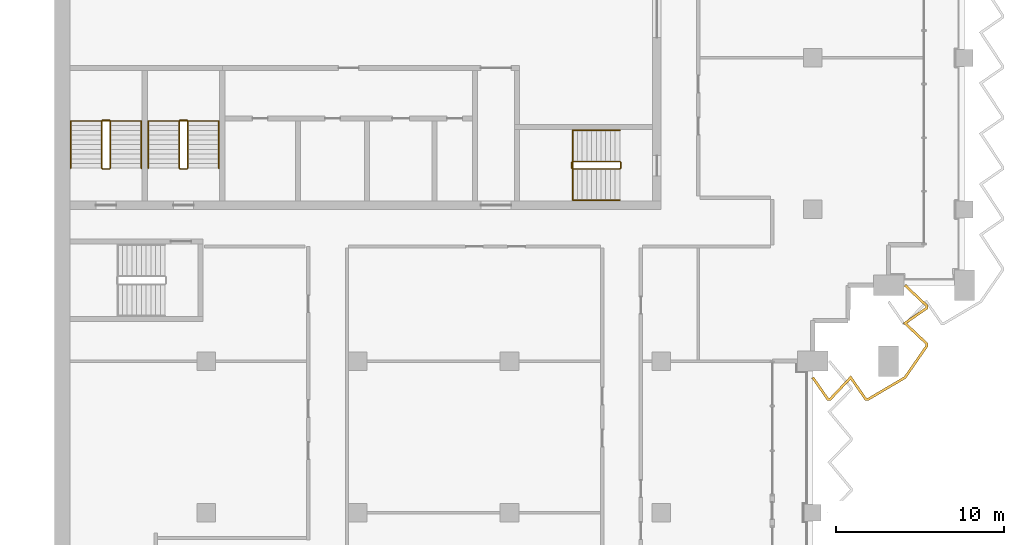
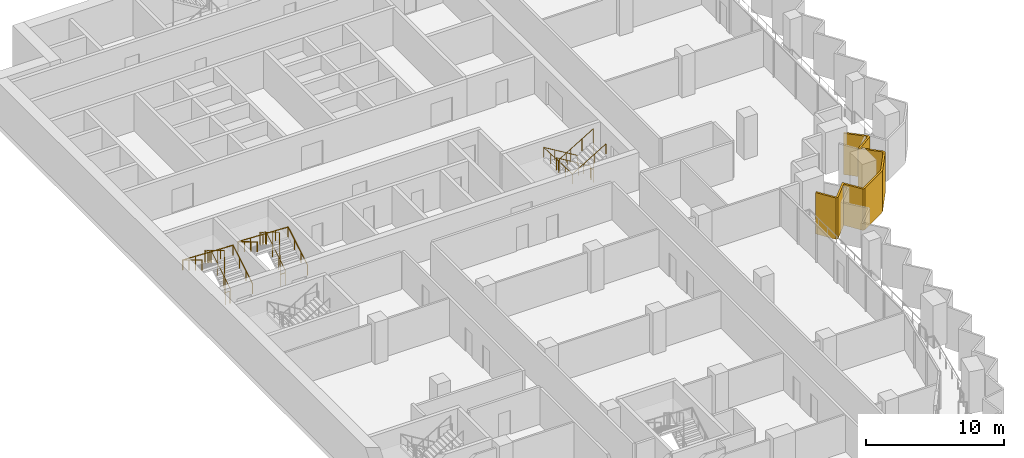
# One storey, part 16 of 18: 6 railings, 1 shading device.
"""IFC4 building model written with IfcOpenShell, lengths in metres."""

from ifc_helpers import new_model, si_unit, direction, frame, origin, origin_2d, place, context, subcontext, project, spatial, polyline, circle, outline, extrude, material, layer, layer_set, type_object, element, save


model = new_model("IFC4")

# Units and contexts
model_context = context("Model", 3, precision=1e-05, world=origin(), true_north=direction((0.0, 1.0)))
body_context = subcontext(model_context, "Body", "Model", "MODEL_VIEW")
ifc_project = project(units=[si_unit("LENGTHUNIT", "METRE"), si_unit("AREAUNIT", "SQUARE_METRE"), si_unit("VOLUMEUNIT", "CUBIC_METRE"), si_unit("PLANEANGLEUNIT", "RADIAN"), si_unit("MASSUNIT", "GRAM", prefix="KILO")], contexts=[model_context])

# Site, building, storey
site_placement = place(None, origin())
site = spatial("IfcSite", under=ifc_project, at=site_placement, CompositionType="ELEMENT")
building_placement = place(site_placement, origin())
building = spatial("IfcBuilding", under=site, at=building_placement, Name="Hunhe Ridgeline Campus", CompositionType="ELEMENT")
storey_placement = place(building_placement, frame((0.0, 0.0, 182.800048828125)))
storey = spatial("IfcBuildingStorey", under=building, at=storey_placement, Name="L46", CompositionType="ELEMENT", Elevation=182.800048828125)

# Shading device
ifc_material_1 = material(Name="Concrete C50", Category="concrete")
ifc_layer = layer(ifc_material_1, 0.14990234375)
ifc_layer_set = layer_set([ifc_layer], Name="Sawtooth concrete fin 150 Concrete C50")
shading_device_type = type_object("IfcShadingDeviceType", Name="Sawtooth concrete fin 150 Concrete C50", PredefinedType="USERDEFINED", material=ifc_layer_set)
shading_device_placement = place(storey_placement, frame((0.0, 0.0, -0.949951171875)))
element("IfcShadingDevice", 1, at=shading_device_placement, inside=storey, type_object=shading_device_type, Name="Concrete fin screen 2", ObjectType="FIN", PredefinedType="USERDEFINED", context=body_context, shape_type="SweptSolid", body=[
    extrude(outline(polyline([(45.0615234375, 53.06787109375), (44.9384765625, 52.982177734375), (45.863525390625, 51.64990234375), (46.054931640625, 51.64990234375), (47.2412109375, 52.90625), (48.113525390625, 51.64990234375), (48.293212890625, 51.64990234375), (50.52734375, 52.96875), (51.85009765625, 54.879150390625), (51.85009765625, 55.054931640625), (50.59375, 56.2412109375), (51.85009765625, 57.113525390625), (51.85009765625, 57.304931640625), (50.5263671875, 58.554443359375), (50.423583984375, 58.445556640625), (51.699951171875, 57.240234375), (51.699951171875, 57.19189453125), (50.356201171875, 56.2587890625), (51.699951171875, 54.990234375), (51.699951171875, 54.926025390625), (50.422607421875, 53.081298828125), (48.252197265625, 51.800048828125), (48.19189453125, 51.800048828125), (47.2587890625, 53.143798828125), (45.990234375, 51.800048828125), (45.94189453125, 51.800048828125), (45.0615234375, 53.06787109375)])), origin(), (0.0, 0.0, 1.0), 3.64990234375),
])

# Railings
ifc_material_2 = material(Name="Stainless steel balustrade", Category="steel")
railing_type_1 = type_object("IfcRailingType", Name="Stair guard 1100 stainless", PredefinedType="GUARDRAIL", material=ifc_material_2)
railing_1_placement = place(storey_placement, frame((33.550048828125, 65.85009765625, 0.168212890625)))
element("IfcRailing", 2, at=railing_1_placement, inside=storey, type_object=railing_type_1, Name="L46 stair S2 guard", PredefinedType="GUARDRAIL", context=body_context, shape_type="SweptSolid", body=[
    extrude(circle(Radius=0.02392578125, at=origin_2d()), frame((0.0, 0.0, 1.076171875), z_axis=(-0.857275202839, 0.0, 0.514858452973), x_axis=(0.0, -1.0, 0.0)), (0.0, 0.0, 1.0), 3.26611328125),
    extrude(circle(Radius=0.02392578125, at=origin_2d()), frame((-2.800048828125, 0.0, 2.7578125), z_axis=(-0.707106781187, -0.707106781187, 0.0), x_axis=(0.707106781187, -0.707106781187, 0.0)), (0.0, 0.0, 1.0), 0.07080078125),
    extrude(circle(Radius=0.02392578125, at=origin_2d()), frame((-2.85009765625, -0.050048828125, 2.7578125), z_axis=(0.0, -1.0, 0.0), x_axis=(1.0, 0.0, 0.0)), (0.0, 0.0, 1.0), 0.35009765625),
    extrude(circle(Radius=0.02392578125, at=origin_2d()), frame((-2.85009765625, -0.400146484375, 2.7578125), z_axis=(0.274243871929, -0.274243871929, 0.92172696468), x_axis=(0.707106781187, 0.707106781187, 0.0)), (0.0, 0.0, 1.0), 0.1826171875),
    extrude(circle(Radius=0.02392578125, at=origin_2d()), frame((-2.800048828125, -0.4501953125, 2.92578125), z_axis=(0.857242210791, 0.0, 0.514913383045), x_axis=(0.0, 1.0, 0.0)), (0.0, 0.0, 1.0), 3.266357421875),
    extrude(circle(Radius=0.02392578125, at=origin_2d()), frame((0.0, -0.4501953125, 4.60791015625), z_axis=(0.013524414389, 0.013524414389, -0.999817073484), x_axis=(-0.707106781187, 0.707106781187, 0.0)), (0.0, 0.0, 1.0), 3.70068359375),
    extrude(circle(Radius=0.02392578125, at=origin_2d()), frame((0.050048828125, -0.400146484375, 0.90771484375), z_axis=(0.0, 1.0, 0.0), x_axis=(-1.0, 0.0, 0.0)), (0.0, 0.0, 1.0), 0.35009765625),
    extrude(circle(Radius=0.02099609375, at=origin_2d()), origin(), (0.0, 0.0, 1.0), 1.052001953125),
    extrude(circle(Radius=0.02099609375, at=origin_2d()), frame((-0.933349609375, 0.0, 0.560546875)), (0.0, 0.0, 1.0), 1.052001953125),
    extrude(circle(Radius=0.02099609375, at=origin_2d()), frame((-1.86669921875, 0.0, 1.12109375)), (0.0, 0.0, 1.0), 1.052001953125),
    extrude(circle(Radius=0.02099609375, at=origin_2d()), frame((-2.800048828125, 0.0, 1.681640625)), (0.0, 0.0, 1.0), 1.052001953125),
    extrude(circle(Radius=0.02099609375, at=origin_2d()), frame((-2.85009765625, -0.050048828125, 1.681640625)), (0.0, 0.0, 1.0), 1.052001953125),
    extrude(circle(Radius=0.02099609375, at=origin_2d()), frame((-2.85009765625, -0.400146484375, 1.681640625)), (0.0, 0.0, 1.0), 1.052001953125),
    extrude(circle(Radius=0.02099609375, at=origin_2d()), frame((-2.800048828125, -0.4501953125, 1.849853515625)), (0.0, 0.0, 1.0), 1.052001953125),
    extrude(circle(Radius=0.02099609375, at=origin_2d()), frame((-1.86669921875, -0.4501953125, 2.410400390625)), (0.0, 0.0, 1.0), 1.052001953125),
    extrude(circle(Radius=0.02099609375, at=origin_2d()), frame((-0.933349609375, -0.4501953125, 2.97119140625)), (0.0, 0.0, 1.0), 1.052001953125),
    extrude(circle(Radius=0.02099609375, at=origin_2d()), frame((0.0, -0.4501953125, 3.53173828125)), (0.0, 0.0, 1.0), 1.052001953125),
    extrude(circle(Radius=0.02099609375, at=origin_2d()), frame((0.012451171875, -0.437744140625, 2.606689453125)), (0.0, 0.0, 1.0), 1.052001953125),
    extrude(circle(Radius=0.02099609375, at=origin_2d()), frame((0.02490234375, -0.42529296875, 1.681640625)), (0.0, 0.0, 1.0), 1.052001953125),
    extrude(circle(Radius=0.02099609375, at=origin_2d()), frame((0.03759765625, -0.41259765625, 0.7568359375)), (0.0, 0.0, 1.0), 1.052001953125),
    extrude(circle(Radius=0.02099609375, at=origin_2d()), frame((0.050048828125, -0.400146484375, -0.168212890625)), (0.0, 0.0, 1.0), 1.052001953125),
    extrude(circle(Radius=0.02099609375, at=origin_2d()), frame((0.050048828125, -0.050048828125, -0.168212890625)), (0.0, 0.0, 1.0), 1.052001953125),
])
railing_2_placement = place(storey_placement, frame((3.300048828125, 65.449951171875, 0.168212890625)))
element("IfcRailing", 3, at=railing_2_placement, inside=storey, type_object=railing_type_1, Name="L46 stair S3 guard", PredefinedType="GUARDRAIL", context=body_context, shape_type="SweptSolid", body=[
    extrude(circle(Radius=0.02392578125, at=origin_2d()), frame((0.0, 0.0, 1.076171875), z_axis=(0.0, 0.857275202839, 0.514858452973), x_axis=(-1.0, 0.0, 0.0)), (0.0, 0.0, 1.0), 3.26611328125),
    extrude(circle(Radius=0.02392578125, at=origin_2d()), frame((0.0, 2.800048828125, 2.7578125), z_axis=(-0.707106781187, 0.707106781187, 0.0), x_axis=(-0.707106781187, -0.707106781187, 0.0)), (0.0, 0.0, 1.0), 0.07080078125),
    extrude(circle(Radius=0.02392578125, at=origin_2d()), frame((-0.050048828125, 2.85009765625, 2.7578125), z_axis=(-1.0, 0.0, 0.0), x_axis=(0.0, -1.0, 0.0)), (0.0, 0.0, 1.0), 0.39990234375),
    extrude(circle(Radius=0.02392578125, at=origin_2d()), frame((-0.449951171875, 2.85009765625, 2.7578125), z_axis=(-0.274243871929, -0.274243871929, 0.92172696468), x_axis=(0.707106781187, -0.707106781187, 0.0)), (0.0, 0.0, 1.0), 0.1826171875),
    extrude(circle(Radius=0.02392578125, at=origin_2d()), frame((-0.5, 2.800048828125, 2.92578125), z_axis=(0.0, -0.857242210791, 0.514913383045), x_axis=(1.0, 0.0, 0.0)), (0.0, 0.0, 1.0), 3.266357421875),
    extrude(circle(Radius=0.02392578125, at=origin_2d()), frame((-0.5, 0.0, 4.60791015625), z_axis=(0.013524414389, -0.013524414389, -0.999817073484), x_axis=(0.707106781187, 0.707106781187, 0.0)), (0.0, 0.0, 1.0), 3.70068359375),
    extrude(circle(Radius=0.02392578125, at=origin_2d()), frame((-0.449951171875, -0.050048828125, 0.90771484375), z_axis=(1.0, 0.0, 0.0), x_axis=(0.0, 1.0, 0.0)), (0.0, 0.0, 1.0), 0.39990234375),
    extrude(circle(Radius=0.02099609375, at=origin_2d()), origin(), (0.0, 0.0, 1.0), 1.052001953125),
    extrude(circle(Radius=0.02099609375, at=origin_2d()), frame((0.0, 0.933349609375, 0.560546875)), (0.0, 0.0, 1.0), 1.052001953125),
    extrude(circle(Radius=0.02099609375, at=origin_2d()), frame((0.0, 1.86669921875, 1.12109375)), (0.0, 0.0, 1.0), 1.052001953125),
    extrude(circle(Radius=0.02099609375, at=origin_2d()), frame((0.0, 2.800048828125, 1.681640625)), (0.0, 0.0, 1.0), 1.052001953125),
    extrude(circle(Radius=0.02099609375, at=origin_2d()), frame((-0.050048828125, 2.85009765625, 1.681640625)), (0.0, 0.0, 1.0), 1.052001953125),
    extrude(circle(Radius=0.02099609375, at=origin_2d()), frame((-0.449951171875, 2.85009765625, 1.681640625)), (0.0, 0.0, 1.0), 1.052001953125),
    extrude(circle(Radius=0.02099609375, at=origin_2d()), frame((-0.5, 2.800048828125, 1.849853515625)), (0.0, 0.0, 1.0), 1.052001953125),
    extrude(circle(Radius=0.02099609375, at=origin_2d()), frame((-0.5, 1.86669921875, 2.410400390625)), (0.0, 0.0, 1.0), 1.052001953125),
    extrude(circle(Radius=0.02099609375, at=origin_2d()), frame((-0.5, 0.933349609375, 2.97119140625)), (0.0, 0.0, 1.0), 1.052001953125),
    extrude(circle(Radius=0.02099609375, at=origin_2d()), frame((-0.5, 0.0, 3.53173828125)), (0.0, 0.0, 1.0), 1.052001953125),
    extrude(circle(Radius=0.02099609375, at=origin_2d()), frame((-0.487548828125, -0.012451171875, 2.606689453125)), (0.0, 0.0, 1.0), 1.052001953125),
    extrude(circle(Radius=0.02099609375, at=origin_2d()), frame((-0.47509765625, -0.02490234375, 1.681640625)), (0.0, 0.0, 1.0), 1.052001953125),
    extrude(circle(Radius=0.02099609375, at=origin_2d()), frame((-0.46240234375, -0.03759765625, 0.7568359375)), (0.0, 0.0, 1.0), 1.052001953125),
    extrude(circle(Radius=0.02099609375, at=origin_2d()), frame((-0.449951171875, -0.050048828125, -0.168212890625)), (0.0, 0.0, 1.0), 1.052001953125),
    extrude(circle(Radius=0.02099609375, at=origin_2d()), frame((-0.050048828125, -0.050048828125, -0.168212890625)), (0.0, 0.0, 1.0), 1.052001953125),
])
railing_3_placement = place(storey_placement, frame((7.89990234375, 65.449951171875, 0.168212890625)))
element("IfcRailing", 4, at=railing_3_placement, inside=storey, type_object=railing_type_1, Name="L46 stair S4 guard", PredefinedType="GUARDRAIL", context=body_context, shape_type="SweptSolid", body=[
    extrude(circle(Radius=0.02392578125, at=origin_2d()), frame((0.0, 0.0, 1.076171875), z_axis=(0.0, 0.857275202839, 0.514858452973), x_axis=(-1.0, 0.0, 0.0)), (0.0, 0.0, 1.0), 3.26611328125),
    extrude(circle(Radius=0.02392578125, at=origin_2d()), frame((0.0, 2.800048828125, 2.7578125), z_axis=(-0.705375805398, 0.708833529934, 0.0), x_axis=(-0.708833529934, -0.705375805398, 0.0)), (0.0, 0.0, 1.0), 0.070556640625),
    extrude(circle(Radius=0.02392578125, at=origin_2d()), frame((-0.0498046875, 2.85009765625, 2.7578125), z_axis=(-1.0, 0.0, 0.0), x_axis=(0.0, -1.0, 0.0)), (0.0, 0.0, 1.0), 0.400146484375),
    extrude(circle(Radius=0.02392578125, at=origin_2d()), frame((-0.449951171875, 2.85009765625, 2.7578125), z_axis=(-0.274243871929, -0.274243871929, 0.92172696468), x_axis=(0.707106781187, -0.707106781187, 0.0)), (0.0, 0.0, 1.0), 0.1826171875),
    extrude(circle(Radius=0.02392578125, at=origin_2d()), frame((-0.5, 2.800048828125, 2.92578125), z_axis=(0.0, -0.857242210791, 0.514913383045), x_axis=(1.0, 0.0, 0.0)), (0.0, 0.0, 1.0), 3.266357421875),
    extrude(circle(Radius=0.02392578125, at=origin_2d()), frame((-0.5, 0.0, 4.60791015625), z_axis=(0.013524414389, -0.013524414389, -0.999817073484), x_axis=(0.707106781187, 0.707106781187, 0.0)), (0.0, 0.0, 1.0), 3.70068359375),
    extrude(circle(Radius=0.02392578125, at=origin_2d()), frame((-0.449951171875, -0.050048828125, 0.90771484375), z_axis=(1.0, 0.0, 0.0), x_axis=(0.0, 1.0, 0.0)), (0.0, 0.0, 1.0), 0.400146484375),
    extrude(circle(Radius=0.02099609375, at=origin_2d()), origin(), (0.0, 0.0, 1.0), 1.052001953125),
    extrude(circle(Radius=0.02099609375, at=origin_2d()), frame((0.0, 0.933349609375, 0.560546875)), (0.0, 0.0, 1.0), 1.052001953125),
    extrude(circle(Radius=0.02099609375, at=origin_2d()), frame((0.0, 1.86669921875, 1.12109375)), (0.0, 0.0, 1.0), 1.052001953125),
    extrude(circle(Radius=0.02099609375, at=origin_2d()), frame((0.0, 2.800048828125, 1.681640625)), (0.0, 0.0, 1.0), 1.052001953125),
    extrude(circle(Radius=0.02099609375, at=origin_2d()), frame((-0.0498046875, 2.85009765625, 1.681640625)), (0.0, 0.0, 1.0), 1.052001953125),
    extrude(circle(Radius=0.02099609375, at=origin_2d()), frame((-0.449951171875, 2.85009765625, 1.681640625)), (0.0, 0.0, 1.0), 1.052001953125),
    extrude(circle(Radius=0.02099609375, at=origin_2d()), frame((-0.5, 2.800048828125, 1.849853515625)), (0.0, 0.0, 1.0), 1.052001953125),
    extrude(circle(Radius=0.02099609375, at=origin_2d()), frame((-0.5, 1.86669921875, 2.410400390625)), (0.0, 0.0, 1.0), 1.052001953125),
    extrude(circle(Radius=0.02099609375, at=origin_2d()), frame((-0.5, 0.933349609375, 2.97119140625)), (0.0, 0.0, 1.0), 1.052001953125),
    extrude(circle(Radius=0.02099609375, at=origin_2d()), frame((-0.5, 0.0, 3.53173828125)), (0.0, 0.0, 1.0), 1.052001953125),
    extrude(circle(Radius=0.02099609375, at=origin_2d()), frame((-0.487548828125, -0.012451171875, 2.606689453125)), (0.0, 0.0, 1.0), 1.052001953125),
    extrude(circle(Radius=0.02099609375, at=origin_2d()), frame((-0.47509765625, -0.02490234375, 1.681640625)), (0.0, 0.0, 1.0), 1.052001953125),
    extrude(circle(Radius=0.02099609375, at=origin_2d()), frame((-0.46240234375, -0.03759765625, 0.7568359375)), (0.0, 0.0, 1.0), 1.052001953125),
    extrude(circle(Radius=0.02099609375, at=origin_2d()), frame((-0.449951171875, -0.050048828125, -0.168212890625)), (0.0, 0.0, 1.0), 1.052001953125),
    extrude(circle(Radius=0.02099609375, at=origin_2d()), frame((-0.0498046875, -0.050048828125, -0.168212890625)), (0.0, 0.0, 1.0), 1.052001953125),
])
ifc_material_3 = material(Name="Stainless steel handrail", Category="steel")
railing_type_2 = type_object("IfcRailingType", Name="Stair handrail 900 stainless", PredefinedType="HANDRAIL", material=ifc_material_3)
railing_4_placement = place(storey_placement, frame((33.550048828125, 67.699951171875, 0.168212890625)))
element("IfcRailing", 5, at=railing_4_placement, inside=storey, type_object=railing_type_2, Name="L46 stair S2 handrail", PredefinedType="HANDRAIL", context=body_context, shape_type="SweptSolid", body=[
    extrude(circle(Radius=0.02392578125, at=origin_2d()), frame((0.0, 0.0, 0.8759765625), z_axis=(-0.857275202839, 0.0, 0.514858452973), x_axis=(0.0, -1.0, 0.0)), (0.0, 0.0, 1.0), 3.26611328125),
    extrude(circle(Radius=0.02392578125, at=origin_2d()), frame((-2.800048828125, 0.0, 2.5576171875), z_axis=(0.0, -0.99917950104, 0.040500922239), x_axis=(1.0, 0.0, 0.0)), (0.0, 0.0, 1.0), 4.1533203125),
    extrude(circle(Radius=0.02392578125, at=origin_2d()), frame((-2.800048828125, -4.14990234375, 2.7255859375), z_axis=(0.857242210791, 0.0, 0.514913383045), x_axis=(0.0, 1.0, 0.0)), (0.0, 0.0, 1.0), 3.266357421875),
    extrude(circle(Radius=0.02099609375, at=origin_2d()), origin(), (0.0, 0.0, 1.0), 0.851806640625),
    extrude(circle(Radius=0.02099609375, at=origin_2d()), frame((-0.933349609375, 0.0, 0.560546875)), (0.0, 0.0, 1.0), 0.851806640625),
    extrude(circle(Radius=0.02099609375, at=origin_2d()), frame((-1.86669921875, 0.0, 1.12109375)), (0.0, 0.0, 1.0), 0.851806640625),
    extrude(circle(Radius=0.02099609375, at=origin_2d()), frame((-2.800048828125, 0.0, 1.681640625)), (0.0, 0.0, 1.0), 0.851806640625),
    extrude(circle(Radius=0.02099609375, at=origin_2d()), frame((-2.800048828125, -1.03759765625, 1.7236328125)), (0.0, 0.0, 1.0), 0.851806640625),
    extrude(circle(Radius=0.02099609375, at=origin_2d()), frame((-2.800048828125, -2.074951171875, 1.765625)), (0.0, 0.0, 1.0), 0.851806640625),
    extrude(circle(Radius=0.02099609375, at=origin_2d()), frame((-2.800048828125, -3.1123046875, 1.807861328125)), (0.0, 0.0, 1.0), 0.851806640625),
    extrude(circle(Radius=0.02099609375, at=origin_2d()), frame((-2.800048828125, -4.14990234375, 1.849853515625)), (0.0, 0.0, 1.0), 0.851806640625),
    extrude(circle(Radius=0.02099609375, at=origin_2d()), frame((-1.86669921875, -4.14990234375, 2.410400390625)), (0.0, 0.0, 1.0), 0.851806640625),
    extrude(circle(Radius=0.02099609375, at=origin_2d()), frame((-0.933349609375, -4.14990234375, 2.97119140625)), (0.0, 0.0, 1.0), 0.851806640625),
    extrude(circle(Radius=0.02099609375, at=origin_2d()), frame((0.0, -4.14990234375, 3.53173828125)), (0.0, 0.0, 1.0), 0.851806640625),
])
railing_5_placement = place(storey_placement, frame((5.14990234375, 65.449951171875, 0.168212890625)))
element("IfcRailing", 6, at=railing_5_placement, inside=storey, type_object=railing_type_2, Name="L46 stair S3 handrail", PredefinedType="HANDRAIL", context=body_context, shape_type="SweptSolid", body=[
    extrude(circle(Radius=0.02392578125, at=origin_2d()), frame((0.0, 0.0, 0.8759765625), z_axis=(0.0, 0.857275202839, 0.514858452973), x_axis=(-1.0, 0.0, 0.0)), (0.0, 0.0, 1.0), 3.26611328125),
    extrude(circle(Radius=0.02392578125, at=origin_2d()), frame((0.0, 2.800048828125, 2.5576171875), z_axis=(-0.999198916169, 0.0, 0.040019069537), x_axis=(0.0, -1.0, 0.0)), (0.0, 0.0, 1.0), 4.203369140625),
    extrude(circle(Radius=0.02392578125, at=origin_2d()), frame((-4.199951171875, 2.800048828125, 2.7255859375), z_axis=(0.0, -0.857242210791, 0.514913383045), x_axis=(1.0, 0.0, 0.0)), (0.0, 0.0, 1.0), 3.266357421875),
    extrude(circle(Radius=0.02099609375, at=origin_2d()), origin(), (0.0, 0.0, 1.0), 0.851806640625),
    extrude(circle(Radius=0.02099609375, at=origin_2d()), frame((0.0, 0.933349609375, 0.560546875)), (0.0, 0.0, 1.0), 0.851806640625),
    extrude(circle(Radius=0.02099609375, at=origin_2d()), frame((0.0, 1.86669921875, 1.12109375)), (0.0, 0.0, 1.0), 0.851806640625),
    extrude(circle(Radius=0.02099609375, at=origin_2d()), frame((0.0, 2.800048828125, 1.681640625)), (0.0, 0.0, 1.0), 0.851806640625),
    extrude(circle(Radius=0.02099609375, at=origin_2d()), frame((-1.050048828125, 2.800048828125, 1.7236328125)), (0.0, 0.0, 1.0), 0.851806640625),
    extrude(circle(Radius=0.02099609375, at=origin_2d()), frame((-2.10009765625, 2.800048828125, 1.765625)), (0.0, 0.0, 1.0), 0.851806640625),
    extrude(circle(Radius=0.02099609375, at=origin_2d()), frame((-3.14990234375, 2.800048828125, 1.807861328125)), (0.0, 0.0, 1.0), 0.851806640625),
    extrude(circle(Radius=0.02099609375, at=origin_2d()), frame((-4.199951171875, 2.800048828125, 1.849853515625)), (0.0, 0.0, 1.0), 0.851806640625),
    extrude(circle(Radius=0.02099609375, at=origin_2d()), frame((-4.199951171875, 1.86669921875, 2.410400390625)), (0.0, 0.0, 1.0), 0.851806640625),
    extrude(circle(Radius=0.02099609375, at=origin_2d()), frame((-4.199951171875, 0.933349609375, 2.97119140625)), (0.0, 0.0, 1.0), 0.851806640625),
    extrude(circle(Radius=0.02099609375, at=origin_2d()), frame((-4.199951171875, 0.0, 3.53173828125)), (0.0, 0.0, 1.0), 0.851806640625),
])
railing_6_placement = place(storey_placement, frame((9.75, 65.449951171875, 0.168212890625)))
element("IfcRailing", 7, at=railing_6_placement, inside=storey, type_object=railing_type_2, Name="L46 stair S4 handrail", PredefinedType="HANDRAIL", context=body_context, shape_type="SweptSolid", body=[
    extrude(circle(Radius=0.02392578125, at=origin_2d()), frame((0.0, 0.0, 0.8759765625), z_axis=(0.0, 0.857275202839, 0.514858452973), x_axis=(-1.0, 0.0, 0.0)), (0.0, 0.0, 1.0), 3.26611328125),
    extrude(circle(Radius=0.02392578125, at=origin_2d()), frame((0.0, 2.800048828125, 2.5576171875), z_axis=(-0.999198916169, 0.0, 0.040019069537), x_axis=(0.0, -1.0, 0.0)), (0.0, 0.0, 1.0), 4.203369140625),
    extrude(circle(Radius=0.02392578125, at=origin_2d()), frame((-4.199951171875, 2.800048828125, 2.7255859375), z_axis=(0.0, -0.857242210791, 0.514913383045), x_axis=(1.0, 0.0, 0.0)), (0.0, 0.0, 1.0), 3.266357421875),
    extrude(circle(Radius=0.02099609375, at=origin_2d()), origin(), (0.0, 0.0, 1.0), 0.851806640625),
    extrude(circle(Radius=0.02099609375, at=origin_2d()), frame((0.0, 0.933349609375, 0.560546875)), (0.0, 0.0, 1.0), 0.851806640625),
    extrude(circle(Radius=0.02099609375, at=origin_2d()), frame((0.0, 1.86669921875, 1.12109375)), (0.0, 0.0, 1.0), 0.851806640625),
    extrude(circle(Radius=0.02099609375, at=origin_2d()), frame((0.0, 2.800048828125, 1.681640625)), (0.0, 0.0, 1.0), 0.851806640625),
    extrude(circle(Radius=0.02099609375, at=origin_2d()), frame((-1.050048828125, 2.800048828125, 1.7236328125)), (0.0, 0.0, 1.0), 0.851806640625),
    extrude(circle(Radius=0.02099609375, at=origin_2d()), frame((-2.10009765625, 2.800048828125, 1.765625)), (0.0, 0.0, 1.0), 0.851806640625),
    extrude(circle(Radius=0.02099609375, at=origin_2d()), frame((-3.14990234375, 2.800048828125, 1.807861328125)), (0.0, 0.0, 1.0), 0.851806640625),
    extrude(circle(Radius=0.02099609375, at=origin_2d()), frame((-4.199951171875, 2.800048828125, 1.849853515625)), (0.0, 0.0, 1.0), 0.851806640625),
    extrude(circle(Radius=0.02099609375, at=origin_2d()), frame((-4.199951171875, 1.86669921875, 2.410400390625)), (0.0, 0.0, 1.0), 0.851806640625),
    extrude(circle(Radius=0.02099609375, at=origin_2d()), frame((-4.199951171875, 0.933349609375, 2.97119140625)), (0.0, 0.0, 1.0), 0.851806640625),
    extrude(circle(Radius=0.02099609375, at=origin_2d()), frame((-4.199951171875, 0.0, 3.53173828125)), (0.0, 0.0, 1.0), 0.851806640625),
])

save(model, "model.ifc")
